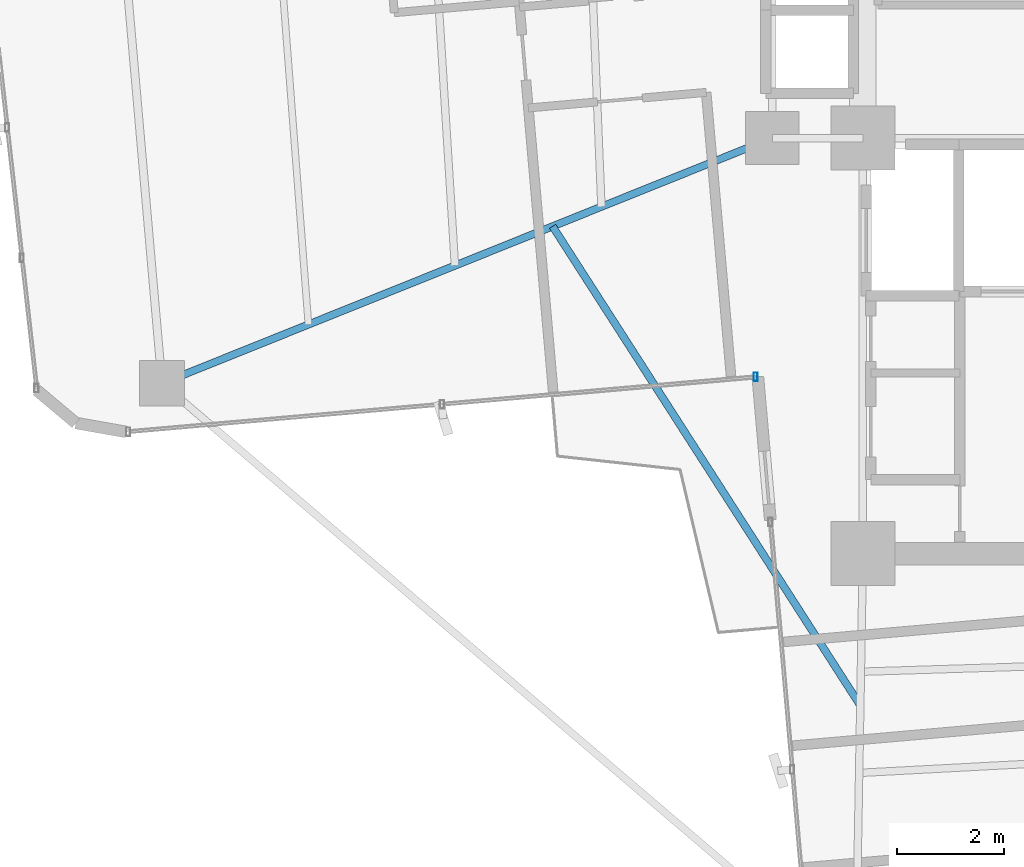
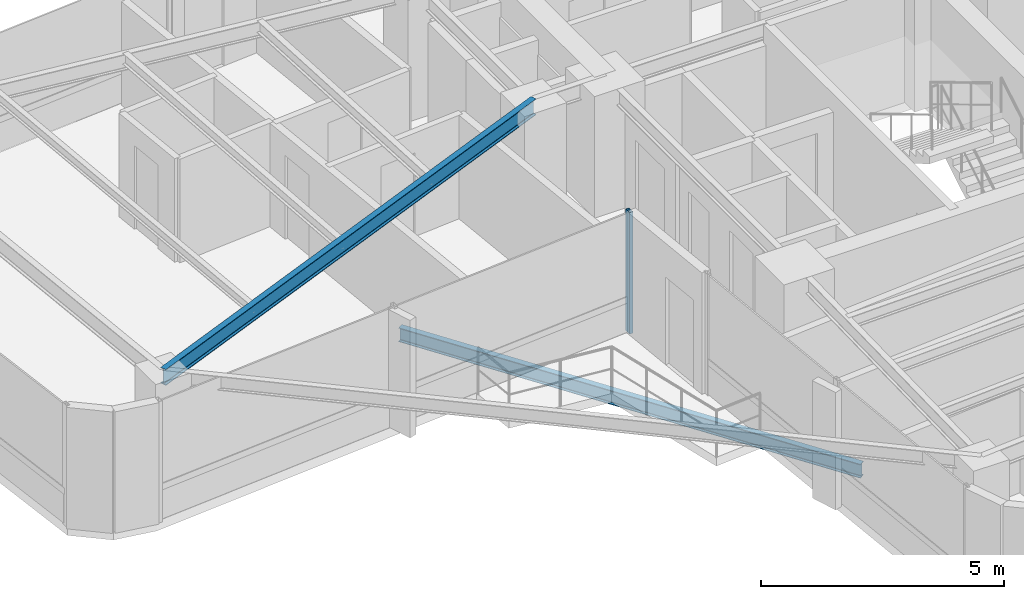
# One storey, part 5 of 24: 2 beams, 1 member, 1 element without a shape of its own.
"""IFC4 building model written with IfcOpenShell, lengths in metres."""

import ifcopenshell
import ifcopenshell.guid

model = None  # the IFC model being written
_history = None  # IfcOwnerHistory: only IFC2X3 demands one
_inside = {}  # id of a spatial element -> (the spatial element, [elements in it])
_under = {}  # id of a project, library or spatial element -> (it, [spatial elements below it])
_declared = {}  # id of a project -> (the project, [libraries it declares])
_typed = {}  # id of a type object -> (the type object, [elements of that type])
_made_of = {}  # id of a material, layer set ... -> (it, [elements and type objects made of it])


def new_model(schema):
    """Start an empty IFC model of exactly this schema.

    Asked for "IFC4X3", IfcOpenShell would pick the latest addendum, in which some entities
    have other attributes; the version numbers below select the first issue.
    IFC2X3 requires an IfcOwnerHistory on every rooted entity: one is made here for all.
    """
    global model, _history
    if schema == "IFC4X3":
        model = ifcopenshell.file(schema_version=(4, 3, 0, 0))
    else:
        model = ifcopenshell.file(schema=schema)
    _inside.clear()
    _under.clear()
    _declared.clear()
    _typed.clear()
    _made_of.clear()
    _history = None
    if model.schema == "IFC2X3":
        org = make("IfcOrganization", Name="unknown")
        user = make(
            "IfcPersonAndOrganization",
            ThePerson=make("IfcPerson", FamilyName="unknown"),
            TheOrganization=org,
        )
        app = make(
            "IfcApplication",
            ApplicationDeveloper=org,
            Version="unknown",
            ApplicationFullName="unknown",
            ApplicationIdentifier="unknown",
        )
        _history = make(
            "IfcOwnerHistory",
            OwningUser=user,
            OwningApplication=app,
            ChangeAction="ADDED",
            CreationDate=0,
        )
    return model


def make(cls, **values):
    """One entity of the class cls with the attributes given. An attribute that is None is left unset."""
    return model.create_entity(
        cls, **{name: value for name, value in values.items() if value is not None}
    )


def rooted(cls, **values):
    """An entity with a GlobalId (a new one), such as an element, a storey or a relation."""
    return make(cls, GlobalId=ifcopenshell.guid.new(), OwnerHistory=_history, **values)


def si_unit(unit_type, name, prefix=None):
    """IfcSIUnit, for example si_unit("LENGTHUNIT", "METRE", prefix="MILLI")."""
    return make("IfcSIUnit", UnitType=unit_type, Prefix=prefix, Name=name)


def assignment(units):
    """IfcUnitAssignment: the units of a project."""
    return None if units is None else make("IfcUnitAssignment", Units=units)


def point(xyz):
    """IfcCartesianPoint."""
    return None if xyz is None else make("IfcCartesianPoint", Coordinates=xyz)


def direction(xyz):
    """IfcDirection."""
    return None if xyz is None else make("IfcDirection", DirectionRatios=xyz)


def frame(location, z_axis=None, x_axis=None):
    """IfcAxis2Placement3D, a coordinate frame: its origin and axes. An axis left out is left unset."""
    return make(
        "IfcAxis2Placement3D",
        Location=point(location),
        Axis=direction(z_axis),
        RefDirection=direction(x_axis),
    )


def frame_2d(location, x_axis=None):
    """IfcAxis2Placement2D, a coordinate frame in the plane: its origin and x axis."""
    return make(
        "IfcAxis2Placement2D", Location=point(location), RefDirection=direction(x_axis)
    )


def origin():
    """The frame at (0, 0, 0) with its axes left unset."""
    return frame((0.0, 0.0, 0.0))


def origin_2d():
    """The frame at (0, 0) in the plane with its x axis left unset."""
    return frame_2d((0.0, 0.0))


def place(relative_to, where):
    """IfcLocalPlacement: puts the frame where relative to a parent placement (None: the world)."""
    return make(
        "IfcLocalPlacement", PlacementRelTo=relative_to, RelativePlacement=where
    )


def context(
    kind, dimensions, precision=None, world=None, true_north=None, identifier=None
):
    """IfcGeometricRepresentationContext, for example the 3D "Model" context."""
    return make(
        "IfcGeometricRepresentationContext",
        ContextIdentifier=identifier,
        ContextType=kind,
        CoordinateSpaceDimension=dimensions,
        Precision=precision,
        WorldCoordinateSystem=world,
        TrueNorth=true_north,
    )


def subcontext(parent, identifier, kind, view, scale=None):
    """IfcGeometricRepresentationSubContext, for example "Body" below "Model"."""
    return make(
        "IfcGeometricRepresentationSubContext",
        ContextIdentifier=identifier,
        ContextType=kind,
        ParentContext=parent,
        TargetScale=scale,
        TargetView=view,
    )


def project(units=None, contexts=None):
    """IfcProject with its units and contexts."""
    return rooted(
        "IfcProject",
        Name="project",
        RepresentationContexts=contexts,
        UnitsInContext=assignment(units),
    )


def spatial(cls, under=None, at=None, **own):
    """A site, building, storey or space (cls), placed at a placement, below another one or the project."""
    s = rooted(cls, ObjectPlacement=at, **own)
    if under is not None:
        _under.setdefault(under.id(), (under, []))[1].append(s)
    return s


def profile(cls, at=None, kind="AREA", **sizes):
    """A parametric profile (cls). Its sizes go by their IFC names, for example OverallWidth=200.0."""
    return make(cls, ProfileType=kind, Position=at, **sizes)


def hollow_rectangle(**sizes):
    """IfcRectangleHollowProfileDef."""
    return profile("IfcRectangleHollowProfileDef", **sizes)


def i_section(**sizes):
    """IfcIShapeProfileDef."""
    return profile("IfcIShapeProfileDef", **sizes)


def extrude(swept, where, along, depth):
    """IfcExtrudedAreaSolid: the profile swept, set in the frame where, extruded along a direction by depth."""
    return make(
        "IfcExtrudedAreaSolid",
        SweptArea=swept,
        Position=where,
        ExtrudedDirection=direction(along),
        Depth=depth,
    )


def shape(context_of_items, identifier, shape_type, items):
    """IfcShapeRepresentation: the items that make up one representation, for example the "Body"."""
    return make(
        "IfcShapeRepresentation",
        ContextOfItems=context_of_items,
        RepresentationIdentifier=identifier,
        RepresentationType=shape_type,
        Items=items,
    )


def source(mapping_origin, context_of_items, identifier, shape_type, items):
    """IfcRepresentationMap: a shape defined once, which mapped items show again and again."""
    return make(
        "IfcRepresentationMap",
        MappingOrigin=mapping_origin,
        MappedRepresentation=shape(context_of_items, identifier, shape_type, items),
    )


def transform(
    local_origin,
    x_axis=None,
    y_axis=None,
    z_axis=None,
    scale=None,
    scale2=None,
    scale3=None,
    uniform=True,
):
    """IfcCartesianTransformationOperator3D, or its non-uniform kind. x_axis, y_axis, z_axis: its Axis1, 2, 3."""
    if uniform:
        return make(
            "IfcCartesianTransformationOperator3D",
            Axis1=direction(x_axis),
            Axis2=direction(y_axis),
            LocalOrigin=point(local_origin),
            Scale=scale,
            Axis3=direction(z_axis),
        )
    return make(
        "IfcCartesianTransformationOperator3DnonUniform",
        Axis1=direction(x_axis),
        Axis2=direction(y_axis),
        LocalOrigin=point(local_origin),
        Scale=scale,
        Axis3=direction(z_axis),
        Scale2=scale2,
        Scale3=scale3,
    )


def mapped(mapping_source, mapping_target):
    """IfcMappedItem: shows the shape of a source again, moved by a transform."""
    return make(
        "IfcMappedItem", MappingSource=mapping_source, MappingTarget=mapping_target
    )


def material(Name=None, Category=None):
    """IfcMaterial."""
    return make("IfcMaterial", Name=Name, Category=Category)


def material_profile(
    of_material, cross_section, Name=None, Category=None, Priority=None
):
    """IfcMaterialProfile: a cross section and its material."""
    return make(
        "IfcMaterialProfile",
        Name=Name,
        Material=of_material,
        Profile=cross_section,
        Priority=Priority,
        Category=Category,
    )


def profile_set(profiles, Name=None, composite=None):
    """IfcMaterialProfileSet."""
    return make(
        "IfcMaterialProfileSet",
        Name=Name,
        MaterialProfiles=profiles,
        CompositeProfile=composite,
    )


def made_of(thing, what):
    """Note that an element or type object is made of a material, layer set ...; save() writes the relation."""
    if what is not None:
        _made_of.setdefault(what.id(), (what, []))[1].append(thing)
    return thing


def type_object(cls, material=None, **own):
    """A type object (cls), such as IfcWallType, which elements share."""
    return made_of(rooted(cls, **own), material)


def element(
    cls,
    number,
    at=None,
    inside=None,
    cuts=None,
    type_object=None,
    material=None,
    context=None,
    identifier="Body",
    shape_type=None,
    held_by="IfcProductDefinitionShape",
    body=None,
    shapes=None,
    **own,
):
    """One element of the class cls, such as IfcWall. Its Tag is "e" and its number.

    at: its placement. inside: the storey or other place that contains it. cuts: it is an
    opening in that element (IfcRelVoidsElement). A single representation is given by context,
    identifier, shape_type and body (its items); several are given by shapes. held_by: the class
    of the entity that holds the representations. save() writes the other relations.
    """
    e = rooted(cls, Tag="e%d" % number, ObjectPlacement=at, **own)
    if body is not None:
        shapes = [shape(context, identifier, shape_type, body)]
    if shapes is not None:
        e.Representation = make(held_by, Representations=shapes)
    if inside is not None:
        _inside.setdefault(inside.id(), (inside, []))[1].append(e)
    if cuts is not None:
        rooted(
            "IfcRelVoidsElement", RelatingBuildingElement=cuts, RelatedOpeningElement=e
        )
    if type_object is not None:
        _typed.setdefault(type_object.id(), (type_object, []))[1].append(e)
    return made_of(e, material)


def aggregate(whole, parts):
    """IfcRelAggregates: a whole, such as a stair, and the parts it consists of."""
    return rooted("IfcRelAggregates", RelatingObject=whole, RelatedObjects=parts)


def save(model, path):
    """Write the relations noted so far, then the file.

    IfcRelAggregates (storeys below a building ...), IfcRelContainedInSpatialStructure (elements
    in a storey), IfcRelDefinesByType, IfcRelAssociatesMaterial and IfcRelDeclares: one each for
    every whole, place, type object, material and project.
    """
    for whole, parts in _under.values():
        aggregate(whole, parts)
    for where, things in _inside.values():
        rooted(
            "IfcRelContainedInSpatialStructure",
            RelatedElements=things,
            RelatingStructure=where,
        )
    for kind, things in _typed.values():
        rooted("IfcRelDefinesByType", RelatedObjects=things, RelatingType=kind)
    for what, things in _made_of.values():
        rooted("IfcRelAssociatesMaterial", RelatedObjects=things, RelatingMaterial=what)
    for by, libraries in _declared.values():
        rooted("IfcRelDeclares", RelatingContext=by, RelatedDefinitions=libraries)
    model.write(path)


model = new_model("IFC4")

# Units and contexts
model_context = context("Model", 3, precision=1e-05, world=origin(), true_north=direction((0.0, 1.0)))
body_context = subcontext(model_context, "Body", "Model", "MODEL_VIEW")
ifc_project = project(units=[si_unit("LENGTHUNIT", "METRE"), si_unit("AREAUNIT", "SQUARE_METRE"), si_unit("VOLUMEUNIT", "CUBIC_METRE"), si_unit("PLANEANGLEUNIT", "RADIAN"), si_unit("MASSUNIT", "GRAM", prefix="KILO")], contexts=[model_context])

# Site, building, storey
site_placement = place(None, origin())
site = spatial("IfcSite", under=ifc_project, at=site_placement, CompositionType="ELEMENT")
building_placement = place(site_placement, origin())
building = spatial("IfcBuilding", under=site, at=building_placement, Name="Sahyath Konkavel Grand Hotel", CompositionType="ELEMENT")
storey_placement = place(building_placement, frame((0.0, 0.0, 167.35009765625)))
storey = spatial("IfcBuildingStorey", under=building, at=storey_placement, Name="L46", CompositionType="ELEMENT", Elevation=167.35009765625)

# Beam
ifc_material_1 = material(Name="Steel E350", Category="steel")
ifc_material_profile_1 = material_profile(ifc_material_1, i_section(OverallWidth=0.139892578125, OverallDepth=0.39990234375, WebThickness=0.0087890625, FlangeThickness=0.01611328125, FilletRadius=0.013916015625, at=origin_2d()), Name="ISMB 400")
ifc_profile_set_1 = profile_set([ifc_material_profile_1], Name="Steel E350")
beam_type_1 = type_object("IfcBeamType", Name="BM-ISMB400", PredefinedType="BEAM", material=ifc_profile_set_1)
shared_shape_1 = source(origin(), body_context, "Body", "SweptSolid", [
    extrude(i_section(OverallWidth=0.139892578125, OverallDepth=0.39990234375, WebThickness=0.0087890625, FlangeThickness=0.01611328125, FilletRadius=0.013916015625, at=origin_2d()), origin(), (0.0, 0.0, 1.0), 12.344970703125),
])
beam_1_placement = place(storey_placement, frame((-5.5, -2.39990234375, 2.849853515625), z_axis=(-0.927837014101, -0.372985891507, 0.0), x_axis=(0.372985891507, -0.927837014101, 0.0)))
element("IfcBeam", 1, at=beam_1_placement, inside=storey, type_object=beam_type_1, Name="L46 Cruciform Radial Girder WB", PredefinedType="BEAM", context=body_context, shape_type="MappedRepresentation", body=[
    mapped(shared_shape_1, transform((0.0, 0.0, 0.0), scale=1.0)),
])

# Curtain wall, member
ifc_material_2 = material(Name="Anodised Bronze Aluminium & Low-E Glazing", Category="aluminium")
curtain_wall_type = type_object("IfcCurtainWallType", Name="CW-ZONE3", PredefinedType="NOTDEFINED", material=ifc_material_2)
curtain_wall_placement = place(storey_placement, origin())
curtain_wall = element("IfcCurtainWall", 2, at=curtain_wall_placement, inside=storey, type_object=curtain_wall_type, Name="L46 Unitised Curtain Wall F23", PredefinedType="NOTDEFINED")
ifc_material_3 = material(Name="Anodised Bronze Aluminium", Category="aluminium")
ifc_material_profile_2 = material_profile(ifc_material_3, hollow_rectangle(XDim=0.080078125, YDim=0.159912109375, WallThickness=0.006103515625, at=origin_2d()), Name="RHS 160x80x6")
ifc_profile_set_2 = profile_set([ifc_material_profile_2], Name="Anodised Bronze Aluminium")
member_type = type_object("IfcMemberType", Name="CW-MUL-160", PredefinedType="MULLION", material=ifc_profile_set_2)
shared_shape_2 = source(origin(), body_context, "Body", "SweptSolid", [
    extrude(hollow_rectangle(XDim=0.080078125, YDim=0.159912109375, WallThickness=0.006103515625, at=origin_2d()), origin(), (0.0, 0.0, 1.0), 3.0498046875),
])
member_placement = place(storey_placement, frame((-5.812255859375, -6.8828125, 0.0), z_axis=(0.0, 0.0, 1.0), x_axis=(1.0, 0.0, 0.0)))
member = element("IfcMember", 3, at=member_placement, type_object=member_type, Name="L46 Curtain Wall Mullion F23-2", PredefinedType="MULLION", context=body_context, shape_type="MappedRepresentation", body=[
    mapped(shared_shape_2, transform((0.0, 0.0, 0.0), scale=1.0)),
])
aggregate(curtain_wall, [member])

# Beam
ifc_material_profile_3 = material_profile(ifc_material_1, i_section(OverallWidth=0.139892578125, OverallDepth=0.35009765625, WebThickness=0.008056640625, FlangeThickness=0.01416015625, FilletRadius=0.013916015625, at=origin_2d()), Name="ISMB 350")
ifc_profile_set_3 = profile_set([ifc_material_profile_3], Name="Steel E350")
beam_type_2 = type_object("IfcBeamType", Name="BM-BALC-CANT", PredefinedType="BEAM", material=ifc_profile_set_3)
shared_shape_3 = source(origin(), body_context, "Body", "SweptSolid", [
    extrude(i_section(OverallWidth=0.139892578125, OverallDepth=0.35009765625, WebThickness=0.008056640625, FlangeThickness=0.01416015625, FilletRadius=0.013916015625, at=origin_2d()), origin(), (0.0, 0.0, 1.0), 10.685302734375),
])
beam_2_placement = place(storey_placement, frame((-9.62353515625, -4.0576171875, -0.4150390625), z_axis=(0.540404181048, -0.841405562797, 0.0), x_axis=(0.841405562797, 0.540404181048, 0.0)))
element("IfcBeam", 4, at=beam_2_placement, inside=storey, type_object=beam_type_2, Name="L46 Balcony Cantilever Support Beam SW", PredefinedType="BEAM", context=body_context, shape_type="MappedRepresentation", body=[
    mapped(shared_shape_3, transform((0.0, 0.0, 0.0), scale=1.0)),
])

save(model, "model.ifc")
